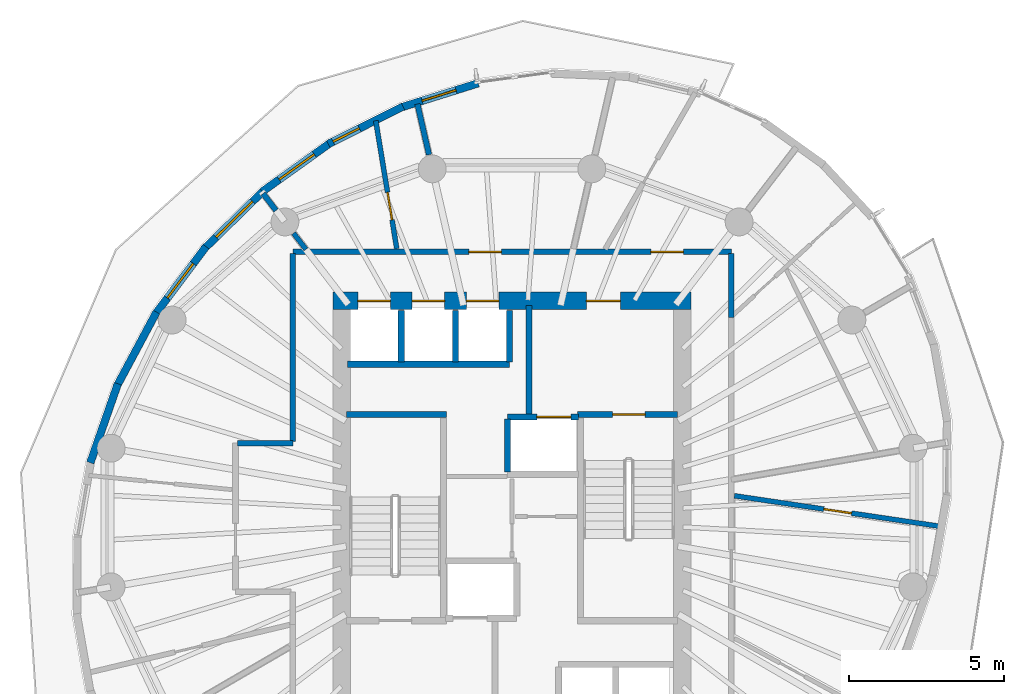
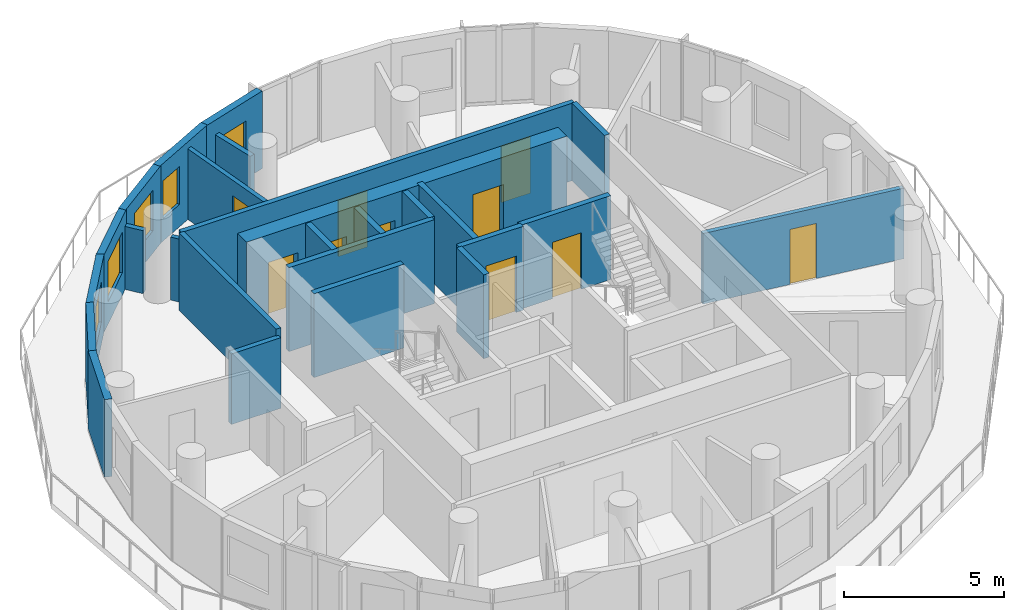
# One storey, part 6 of 10: 26 walls, 11 doors, 4 windows, 15 openings.
"""IFC4 building model written with IfcOpenShell, lengths in metres."""

from ifc_helpers import new_model, si_unit, direction, frame, frame_2d, origin, place, context, subcontext, project, spatial, rectangle, extrude, material, layer, layer_set, type_object, element, fill, save


model = new_model("IFC4")

# Units and contexts
model_context = context("Model", 3, precision=1e-05, world=origin(), true_north=direction((0.0, 1.0)))
body_context = subcontext(model_context, "Body", "Model", "MODEL_VIEW")
ifc_project = project(units=[si_unit("LENGTHUNIT", "METRE"), si_unit("AREAUNIT", "SQUARE_METRE"), si_unit("VOLUMEUNIT", "CUBIC_METRE"), si_unit("PLANEANGLEUNIT", "RADIAN"), si_unit("MASSUNIT", "GRAM", prefix="KILO")], contexts=[model_context])

# Site, building, storey
site_placement = place(None, origin())
site = spatial("IfcSite", under=ifc_project, at=site_placement, CompositionType="ELEMENT")
building_placement = place(site_placement, origin())
building = spatial("IfcBuilding", under=site, at=building_placement, Name="Veldorim Arch Residences", CompositionType="ELEMENT")
storey_placement = place(building_placement, frame((0.0, 0.0, 198.239990234375)))
storey = spatial("IfcBuildingStorey", under=building, at=storey_placement, Name="L59", CompositionType="ELEMENT", Elevation=198.239990234375)

# Walls
ifc_material_1 = material(Name="Lightweight Masonry Block & Gypsum", Category="masonry")
ifc_layer_1 = layer(ifc_material_1, 0.179931640625, Name="Compartment & Corridor Fire-Rated Party Wall 180")
ifc_layer_set_1 = layer_set([ifc_layer_1], Name="Lightweight Masonry Block & Gypsum")
wall_type_1 = type_object("IfcWallType", Name="Compartment & Corridor Fire-Rated Party Wall 180", PredefinedType="PARTITIONING", material=ifc_layer_set_1)
wall_1_placement = place(storey_placement, frame((29.320068359375, 35.717529296875, 0.0), z_axis=(0.0, 0.0, 1.0), x_axis=(-0.222978827263, 0.97482328788, 0.0)))
element("IfcWall", 1, at=wall_1_placement, inside=storey, type_object=wall_type_1, Name="L59 interior wall WL-PIER-L59-05", PredefinedType="PARTITIONING", context=body_context, shape_type="SweptSolid", body=[
    extrude(rectangle(XDim=1.678466796875, YDim=0.179931640625, at=frame_2d((0.83935546875, 0.0))), origin(), (0.0, 0.0, 1.0), 2.4033203125),
])
wall_2_placement = place(storey_placement, frame((24.380126953125, 33.91796875, 0.0), z_axis=(0.0, 0.0, 1.0), x_axis=(-0.60904199592, 0.793137974885, 0.0)))
element("IfcWall", 2, at=wall_2_placement, inside=storey, type_object=wall_type_1, Name="L59 interior wall WL-PIER-L59-06", PredefinedType="PARTITIONING", context=body_context, shape_type="SweptSolid", body=[
    extrude(rectangle(XDim=0.688232421875, YDim=0.179931640625, at=frame_2d((0.34423828125, 0.0))), origin(), (0.0, 0.0, 1.0), 2.4033203125),
])

# Wall, openings, doors
wall_3_placement = place(storey_placement, frame((24.919921875, 32.580078125, 0.0), z_axis=(0.0, 0.0, 1.0), x_axis=(1.0, 0.0, 0.0)))
wall_3 = element("IfcWall", 3, at=wall_3_placement, inside=storey, type_object=wall_type_1, Name="L59 interior wall WL-RES-L59-004", PredefinedType="PARTITIONING", context=body_context, shape_type="SweptSolid", body=[
    extrude(rectangle(XDim=14.16015625, YDim=0.179931640625, at=frame_2d((7.080078125, 0.0))), origin(), (0.0, 0.0, 1.0), 2.955078125),
])
opening_1_placement = place(wall_3_placement, frame((11.562744140625, 0.0, 0.0)))
opening_1 = element("IfcOpeningElement", 4, at=opening_1_placement, cuts=wall_3, Name="Opening DR-FLT", PredefinedType="OPENING", context=body_context, shape_type="SweptSolid", body=[
    extrude(rectangle(XDim=1.050048828125, YDim=2.14990234375, at=frame_2d((0.52490234375, 1.074951171875))), frame((0.0, 0.099853515625, 0.0), z_axis=(0.0, -1.0, 0.0), x_axis=(1.0, 0.0, 0.0)), (0.0, 0.0, 1.0), 0.199951171875),
])
opening_2_placement = place(wall_3_placement, frame((5.684326171875, 0.0, 0.0)))
opening_2 = element("IfcOpeningElement", 5, at=opening_2_placement, cuts=wall_3, Name="Opening DR-FLT", PredefinedType="OPENING", context=body_context, shape_type="SweptSolid", body=[
    extrude(rectangle(XDim=1.050048828125, YDim=2.14990234375, at=frame_2d((0.52490234375, 1.074951171875))), frame((0.0, 0.099853515625, 0.0), z_axis=(0.0, -1.0, 0.0), x_axis=(1.0, 0.0, 0.0)), (0.0, 0.0, 1.0), 0.199951171875),
])
ifc_material_2 = material(Name="Fire-Rated Timber", Category="wood")
door_type_1 = type_object("IfcDoorType", Name="Apartment Entrance Solid-Core Fire Door 1050x2150", OperationType="SINGLE_SWING_LEFT", PredefinedType="DOOR", material=ifc_material_2)
door_1_placement = place(opening_1_placement, origin())
door_1 = element("IfcDoor", 6, at=door_1_placement, inside=storey, type_object=door_type_1, Name="L59 interior door DR-RES-L59-007", OperationType="SINGLE_SWING_LEFT", OverallHeight=2.14990234375, OverallWidth=1.050048828125, PredefinedType="DOOR", context=body_context, shape_type="SweptSolid", body=[
    extrude(rectangle(XDim=1.050048828125, YDim=2.14990234375, at=frame_2d((0.52490234375, 1.074951171875))), frame((0.0, 0.02490234375, 0.0), z_axis=(0.0, -1.0, 0.0), x_axis=(1.0, 0.0, 0.0)), (0.0, 0.0, 1.0), 0.050048828125),
])
fill(opening_1, door_1)
door_2_placement = place(opening_2_placement, origin())
door_2 = element("IfcDoor", 7, at=door_2_placement, inside=storey, type_object=door_type_1, Name="L59 interior door DR-RES-L59-011", OperationType="SINGLE_SWING_LEFT", OverallHeight=2.14990234375, OverallWidth=1.050048828125, PredefinedType="DOOR", context=body_context, shape_type="SweptSolid", body=[
    extrude(rectangle(XDim=1.050048828125, YDim=2.14990234375, at=frame_2d((0.52490234375, 1.074951171875))), frame((0.0, 0.02490234375, 0.0), z_axis=(0.0, -1.0, 0.0), x_axis=(1.0, 0.0, 0.0)), (0.0, 0.0, 1.0), 0.050048828125),
])
fill(opening_2, door_2)

# Walls
wall_4_placement = place(storey_placement, frame((39.080078125, 32.52001953125, 0.0), z_axis=(0.0, 0.0, 1.0), x_axis=(0.0, -1.0, 0.0)))
element("IfcWall", 8, at=wall_4_placement, inside=storey, type_object=wall_type_1, Name="L59 interior wall WL-RES-L59-005", PredefinedType="PARTITIONING", context=body_context, shape_type="SweptSolid", body=[
    extrude(rectangle(XDim=2.058837890625, YDim=0.179931640625, at=frame_2d((1.029296875, 0.0))), origin(), (0.0, 0.0, 1.0), 2.955078125),
])
wall_5_placement = place(storey_placement, frame((23.1298828125, 26.39990234375, 0.0), z_axis=(0.0, 0.0, 1.0), x_axis=(1.0, 0.0, 0.0)))
element("IfcWall", 9, at=wall_5_placement, inside=storey, type_object=wall_type_1, Name="L59 interior wall WL-RES-L59-009", PredefinedType="PARTITIONING", context=body_context, shape_type="SweptSolid", body=[
    extrude(rectangle(XDim=1.7900390625, YDim=0.179931640625, at=frame_2d((0.89501953125, 0.0))), origin(), (0.0, 0.0, 1.0), 2.69189453125),
])
wall_6_placement = place(storey_placement, frame((24.919921875, 26.4599609375, 0.0), z_axis=(0.0, 0.0, 1.0), x_axis=(0.0, 1.0, 0.0)))
element("IfcWall", 10, at=wall_6_placement, inside=storey, type_object=wall_type_1, Name="L59 interior wall WL-RES-L59-010", PredefinedType="PARTITIONING", context=body_context, shape_type="SweptSolid", body=[
    extrude(rectangle(XDim=6.06005859375, YDim=0.179931640625, at=frame_2d((3.030029296875, 0.0))), origin(), (0.0, 0.0, 1.0), 2.955078125),
])
ifc_material_3 = material(Name="Concrete C50/60", Category="concrete")
ifc_layer_2 = layer(ifc_material_3, 0.199951171875, Name="Core Stair & Lift Shaft Enclosure Wall 200")
ifc_layer_set_2 = layer_set([ifc_layer_2], Name="Concrete C50/60")
wall_type_2 = type_object("IfcWallType", Name="Core Stair & Lift Shaft Enclosure Wall 200", PredefinedType="SHEAR", material=ifc_layer_set_2)
wall_7_placement = place(storey_placement, frame((26.64990234375, 27.330078125, 0.0), z_axis=(0.0, 0.0, 1.0), x_axis=(1.0, 0.0, 0.0)))
element("IfcWall", 11, at=wall_7_placement, inside=storey, type_object=wall_type_2, Name="L59 shaft wall WL-SHF-L59-ST1-N", PredefinedType="SHEAR", context=body_context, shape_type="SweptSolid", body=[
    extrude(rectangle(XDim=3.239990234375, YDim=0.199951171875, at=frame_2d((1.6201171875, 0.0))), origin(), (0.0, 0.0, 1.0), 3.199951171875),
])

# Wall, opening, door
wall_8_placement = place(storey_placement, frame((34.110107421875, 27.330078125, 0.0), z_axis=(0.0, 0.0, 1.0), x_axis=(1.0, 0.0, 0.0)))
wall_8 = element("IfcWall", 12, at=wall_8_placement, inside=storey, type_object=wall_type_2, Name="L59 shaft wall WL-SHF-L59-ST2-N", PredefinedType="SHEAR", context=body_context, shape_type="SweptSolid", body=[
    extrude(rectangle(XDim=3.239990234375, YDim=0.199951171875, at=frame_2d((1.6201171875, 0.0))), origin(), (0.0, 0.0, 1.0), 3.199951171875),
])
opening_3_placement = place(wall_8_placement, frame((1.135009765625, 0.0, 0.0)))
opening_3 = element("IfcOpeningElement", 13, at=opening_3_placement, cuts=wall_8, Name="Opening DR-ST", PredefinedType="OPENING", context=body_context, shape_type="SweptSolid", body=[
    extrude(rectangle(XDim=1.050048828125, YDim=2.14990234375, at=frame_2d((0.52490234375, 1.074951171875))), frame((0.0, 0.10986328125, 0.0), z_axis=(0.0, -1.0, 0.0), x_axis=(1.0, 0.0, 0.0)), (0.0, 0.0, 1.0), 0.219970703125),
])
ifc_material_4 = material(Name="Fire-Rated Steel", Category="steel")
door_type_2 = type_object("IfcDoorType", Name="Exit Staircase Self-Closing Fire Door 1050x2150", OperationType="SINGLE_SWING_LEFT", PredefinedType="DOOR", material=ifc_material_4)
door_3_placement = place(opening_3_placement, origin())
door_3 = element("IfcDoor", 14, at=door_3_placement, inside=storey, type_object=door_type_2, Name="L59 interior door DR-L59-ST2", OperationType="SINGLE_SWING_RIGHT", OverallHeight=2.14990234375, OverallWidth=1.050048828125, PredefinedType="DOOR", context=body_context, shape_type="SweptSolid", body=[
    extrude(rectangle(XDim=1.050048828125, YDim=2.14990234375, at=frame_2d((0.52490234375, 1.074951171875))), frame((0.0, 0.02490234375, 0.0), z_axis=(0.0, -1.0, 0.0), x_axis=(1.0, 0.0, 0.0)), (0.0, 0.0, 1.0), 0.050048828125),
])
fill(opening_3, door_3)

# Wall
wall_9_placement = place(storey_placement, frame((32.550048828125, 27.35009765625, 0.0), z_axis=(0.0, 0.0, 1.0), x_axis=(0.0, 1.0, 0.0)))
element("IfcWall", 15, at=wall_9_placement, inside=storey, type_object=wall_type_2, Name="L59 shaft wall WL-FFL2-L59-W", PredefinedType="SHEAR", context=body_context, shape_type="SweptSolid", body=[
    extrude(rectangle(XDim=3.5, YDim=0.199951171875, at=frame_2d((1.75, 0.0))), origin(), (0.0, 0.0, 1.0), 3.199951171875),
])

# Wall, opening, door
wall_10_placement = place(storey_placement, frame((31.85009765625, 27.25, 0.0), z_axis=(0.0, 0.0, 1.0), x_axis=(1.0, 0.0, 0.0)))
wall_10 = element("IfcWall", 16, at=wall_10_placement, inside=storey, type_object=wall_type_2, Name="L59 shaft wall WL-FL02-L59-N", PredefinedType="SHEAR", context=body_context, shape_type="SweptSolid", body=[
    extrude(rectangle(XDim=2.2998046875, YDim=0.199951171875, at=frame_2d((1.14990234375, 0.0))), origin(), (0.0, 0.0, 1.0), 3.199951171875),
])
opening_4_placement = place(wall_10_placement, frame((0.949951171875, 0.0, 0.0)))
opening_4 = element("IfcOpeningElement", 17, at=opening_4_placement, cuts=wall_10, Name="Opening LD-FF", PredefinedType="OPENING", context=body_context, shape_type="SweptSolid", body=[
    extrude(rectangle(XDim=1.10009765625, YDim=2.14990234375, at=frame_2d((0.550048828125, 1.074951171875))), frame((0.0, 0.10986328125, 0.0), z_axis=(0.0, -1.0, 0.0), x_axis=(1.0, 0.0, 0.0)), (0.0, 0.0, 1.0), 0.219970703125),
])
ifc_material_5 = material(Name="Stainless Steel", Category="steel")
door_type_3 = type_object("IfcDoorType", Name="Firefighting Lift Bi-Parting Sliding Landing Door 1100x2150", OperationType="DOUBLE_DOOR_SLIDING", PredefinedType="DOOR", material=ifc_material_5)
door_4_placement = place(opening_4_placement, origin())
door_4 = element("IfcDoor", 18, at=door_4_placement, inside=storey, type_object=door_type_3, Name="L59 lift landing door LD-L59-FL02", OperationType="DOUBLE_DOOR_SLIDING", OverallHeight=2.14990234375, OverallWidth=1.10009765625, PredefinedType="DOOR", context=body_context, shape_type="SweptSolid", body=[
    extrude(rectangle(XDim=1.10009765625, YDim=2.14990234375, at=frame_2d((0.550048828125, 1.074951171875))), frame((0.0, 0.02490234375, 0.0), z_axis=(0.0, -1.0, 0.0), x_axis=(1.0, 0.0, 0.0)), (0.0, 0.0, 1.0), 0.050048828125),
])
fill(opening_4, door_4)

# Walls
wall_11_placement = place(storey_placement, frame((31.85009765625, 25.469970703125, 0.0), z_axis=(0.0, 0.0, 1.0), x_axis=(0.0, 1.0, 0.0)))
element("IfcWall", 19, at=wall_11_placement, inside=storey, type_object=wall_type_2, Name="L59 shaft wall WL-FL02-L59-W", PredefinedType="SHEAR", context=body_context, shape_type="SweptSolid", body=[
    extrude(rectangle(XDim=1.7099609375, YDim=0.199951171875, at=frame_2d((0.85498046875, 0.0))), origin(), (0.0, 0.0, 1.0), 3.199951171875),
])
wall_12_placement = place(storey_placement, frame((26.679931640625, 28.949951171875, 0.0), z_axis=(0.0, 0.0, 1.0), x_axis=(1.0, 0.0, 0.0)))
element("IfcWall", 20, at=wall_12_placement, inside=storey, type_object=wall_type_2, Name="L59 shaft wall WL-B3-L59-S", PredefinedType="SHEAR", context=body_context, shape_type="SweptSolid", body=[
    extrude(rectangle(XDim=5.239990234375, YDim=0.199951171875, at=frame_2d((2.6201171875, 0.0))), origin(), (0.0, 0.0, 1.0), 3.199951171875),
])
for number, where, z_axis, x_axis, name in (
    (21, (31.919921875, 29.02001953125, 0.0), (0.0, 0.0, 1.0), (0.0, 1.0, 0.0), "L59 shaft wall WL-B3-L59-E"),
    (22, (28.425048828125, 29.02001953125, 0.0), (0.0, 0.0, 1.0), (0.0, 1.0, 0.0), "L59 shaft wall WL-B3-L59-D1"),
    (23, (30.175048828125, 29.02001953125, 0.0), (0.0, 0.0, 1.0), (0.0, 1.0, 0.0), "L59 shaft wall WL-B3-L59-D2"),
):
    element("IfcWall", number, at=place(storey_placement, frame(where, z_axis=z_axis, x_axis=x_axis)), inside=storey, type_object=wall_type_2, Name=name, PredefinedType="SHEAR", context=body_context, shape_type="SweptSolid", body=[
        extrude(rectangle(XDim=1.659912109375, YDim=0.199951171875, at=frame_2d((0.830078125, 0.0))), origin(), (0.0, 0.0, 1.0), 3.199951171875),
    ])

# Wall, opening, door
ifc_material_6 = material(Name="Precast concrete C40/50", Category="concrete")
ifc_layer_3 = layer(ifc_material_6, 0.25, Name="Tower Terracotta Spandrel & Pier Wall 250")
ifc_layer_set_3 = layer_set([ifc_layer_3], Name="Precast concrete C40/50")
wall_type_3 = type_object("IfcWallType", Name="Tower Terracotta Spandrel & Pier Wall 250", PredefinedType="SOLIDWALL", material=ifc_layer_set_3)
wall_13_placement = place(storey_placement, frame((28.379150390625, 37.234130859375, 0.0), z_axis=(0.0, 0.0, 1.0), x_axis=(0.954307768746, 0.298825505122, 0.0)))
wall_13 = element("IfcWall", 24, at=wall_13_placement, inside=storey, type_object=wall_type_3, Name="L59 terracotta facade wall 06", PredefinedType="SOLIDWALL", context=body_context, shape_type="SweptSolid", body=[
    extrude(rectangle(XDim=2.651123046875, YDim=0.25, at=frame_2d((1.32568359375, 0.0))), origin(), (0.0, 0.0, 1.0), 2.9599609375),
])
opening_5_placement = place(wall_13_placement, frame((0.7509765625, 0.0, 0.0)))
opening_5 = element("IfcOpeningElement", 25, at=opening_5_placement, cuts=wall_13, Name="Opening BL-DR", PredefinedType="OPENING", context=body_context, shape_type="SweptSolid", body=[
    extrude(rectangle(XDim=1.14990234375, YDim=2.199951171875, at=frame_2d((0.574951171875, 1.10009765625))), frame((0.0, 0.135009765625, 0.0), z_axis=(0.0, -1.0, 0.0), x_axis=(1.0, 0.0, 0.0)), (0.0, 0.0, 1.0), 0.27001953125),
])
ifc_material_7 = material(Name="Aluminium & Low-E Glass", Category="aluminium")
door_type_4 = type_object("IfcDoorType", Name="Glazed Planted Balcony Door 1150x2200", OperationType="SINGLE_SWING_LEFT", PredefinedType="DOOR", material=ifc_material_7)
door_5_placement = place(opening_5_placement, origin())
door_5 = element("IfcDoor", 26, at=door_5_placement, inside=storey, type_object=door_type_4, Name="L59 glazed outdoor terrace door BALC-1", OperationType="SINGLE_SWING_RIGHT", OverallHeight=2.199951171875, OverallWidth=1.14990234375, PredefinedType="DOOR", context=body_context, shape_type="SweptSolid", body=[
    extrude(rectangle(XDim=1.14990234375, YDim=2.199951171875, at=frame_2d((0.574951171875, 1.10009765625))), frame((0.0, 0.02490234375, 0.0), z_axis=(0.0, -1.0, 0.0), x_axis=(1.0, 0.0, 0.0)), (0.0, 0.0, 1.0), 0.050048828125),
])
fill(opening_5, door_5)

# Wall, opening, window
wall_14_placement = place(storey_placement, frame((26.06640625, 36.0634765625, 0.0), z_axis=(0.0, 0.0, 1.0), x_axis=(0.893757522153, 0.448550433724, 0.0)))
wall_14 = element("IfcWall", 27, at=wall_14_placement, inside=storey, type_object=wall_type_3, Name="L59 terracotta facade wall 07", PredefinedType="SOLIDWALL", context=body_context, shape_type="SweptSolid", body=[
    extrude(rectangle(XDim=2.701904296875, YDim=0.25, at=frame_2d((1.35107421875, 0.0))), origin(), (0.0, 0.0, 1.0), 2.9599609375),
])
opening_6_placement = place(wall_14_placement, frame((0.175048828125, 0.0, 0.85009765625)))
opening_6 = element("IfcOpeningElement", 28, at=opening_6_placement, cuts=wall_14, Name="Opening WN-05", PredefinedType="OPENING", context=body_context, shape_type="SweptSolid", body=[
    extrude(rectangle(XDim=0.949951171875, YDim=1.449951171875, at=frame_2d((0.47509765625, 0.72509765625))), frame((0.0, 0.135009765625, 0.0), z_axis=(0.0, -1.0, 0.0), x_axis=(1.0, 0.0, 0.0)), (0.0, 0.0, 1.0), 0.27001953125),
])
ifc_material_8 = material(Name="Laminated Low-E Glass", Category="glass")
window_type_1 = type_object("IfcWindowType", Name="Residential Compact Casement Window 950x1450", PartitioningType="SINGLE_PANEL", PredefinedType="WINDOW", material=ifc_material_8)
window_1_placement = place(opening_6_placement, origin())
window_1 = element("IfcWindow", 29, at=window_1_placement, inside=storey, type_object=window_type_1, Name="L59 solar-control facade window 07", OverallHeight=1.449951171875, OverallWidth=0.949951171875, PartitioningType="SINGLE_PANEL", PredefinedType="WINDOW", context=body_context, shape_type="SweptSolid", body=[
    extrude(rectangle(XDim=0.949951171875, YDim=1.449951171875, at=frame_2d((0.47509765625, 0.72509765625))), frame((0.0, 0.030029296875, 0.0), z_axis=(0.0, -1.0, 0.0), x_axis=(1.0, 0.0, 0.0)), (0.0, 0.0, 1.0), 0.06005859375),
])
fill(opening_6, window_1)

wall_15_placement = place(storey_placement, frame((23.93359375, 34.525634765625, 0.0), z_axis=(0.0, 0.0, 1.0), x_axis=(0.812997900305, 0.58226661771, 0.0)))
wall_15 = element("IfcWall", 30, at=wall_15_placement, inside=storey, type_object=wall_type_3, Name="L59 terracotta facade wall 08", PredefinedType="SOLIDWALL", context=body_context, shape_type="SweptSolid", body=[
    extrude(rectangle(XDim=2.738525390625, YDim=0.25, at=frame_2d((1.369140625, 0.0))), origin(), (0.0, 0.0, 1.0), 2.9599609375),
])
opening_7_placement = place(wall_15_placement, frame((0.6689453125, 0.0, 0.85009765625)))
opening_7 = element("IfcOpeningElement", 31, at=opening_7_placement, cuts=wall_15, Name="Opening WN-02", PredefinedType="OPENING", context=body_context, shape_type="SweptSolid", body=[
    extrude(rectangle(XDim=1.39990234375, YDim=1.550048828125, at=frame_2d((0.699951171875, 0.77490234375))), frame((0.0, 0.135009765625, 0.0), z_axis=(0.0, -1.0, 0.0), x_axis=(1.0, 0.0, 0.0)), (0.0, 0.0, 1.0), 0.27001953125),
])
ifc_material_9 = material(Name="Laminated Low-E Glass", Category="glass")
window_type_2 = type_object("IfcWindowType", Name="Residential Casement Window 1400x1550", PartitioningType="SINGLE_PANEL", PredefinedType="WINDOW", material=ifc_material_9)
window_2_placement = place(opening_7_placement, origin())
window_2 = element("IfcWindow", 32, at=window_2_placement, inside=storey, type_object=window_type_2, Name="L59 solar-control facade window 08", OverallHeight=1.550048828125, OverallWidth=1.39990234375, PartitioningType="SINGLE_PANEL", PredefinedType="WINDOW", context=body_context, shape_type="SweptSolid", body=[
    extrude(rectangle(XDim=1.39990234375, YDim=1.550048828125, at=frame_2d((0.699951171875, 0.77490234375))), frame((0.0, 0.030029296875, 0.0), z_axis=(0.0, -1.0, 0.0), x_axis=(1.0, 0.0, 0.0)), (0.0, 0.0, 1.0), 0.06005859375),
])
fill(opening_7, window_2)

wall_16_placement = place(storey_placement, frame((22.04541015625, 32.6669921875, 0.0), z_axis=(0.0, 0.0, 1.0), x_axis=(0.71485422762, 0.699273503898, 0.0)))
wall_16 = element("IfcWall", 33, at=wall_16_placement, inside=storey, type_object=wall_type_3, Name="L59 terracotta facade wall 09", PredefinedType="SOLIDWALL", context=body_context, shape_type="SweptSolid", body=[
    extrude(rectangle(XDim=2.7578125, YDim=0.25, at=frame_2d((1.37890625, 0.0))), origin(), (0.0, 0.0, 1.0), 2.9599609375),
])
opening_8_placement = place(wall_16_placement, frame((0.553955078125, 0.0, 0.85009765625)))
opening_8 = element("IfcOpeningElement", 34, at=opening_8_placement, cuts=wall_16, Name="Opening WN-03", PredefinedType="OPENING", context=body_context, shape_type="SweptSolid", body=[
    extrude(rectangle(XDim=1.64990234375, YDim=1.550048828125, at=frame_2d((0.824951171875, 0.77490234375))), frame((0.0, 0.135009765625, 0.0), z_axis=(0.0, -1.0, 0.0), x_axis=(1.0, 0.0, 0.0)), (0.0, 0.0, 1.0), 0.27001953125),
])
ifc_material_10 = material(Name="Laminated Low-E Glass", Category="glass")
window_type_3 = type_object("IfcWindowType", Name="Residential Wide Window 1650x1550", PartitioningType="SINGLE_PANEL", PredefinedType="WINDOW", material=ifc_material_10)
window_3_placement = place(opening_8_placement, origin())
window_3 = element("IfcWindow", 35, at=window_3_placement, inside=storey, type_object=window_type_3, Name="L59 solar-control facade window 09", OverallHeight=1.550048828125, OverallWidth=1.64990234375, PartitioningType="SINGLE_PANEL", PredefinedType="WINDOW", context=body_context, shape_type="SweptSolid", body=[
    extrude(rectangle(XDim=1.64990234375, YDim=1.550048828125, at=frame_2d((0.824951171875, 0.77490234375))), frame((0.0, 0.030029296875, 0.0), z_axis=(0.0, -1.0, 0.0), x_axis=(1.0, 0.0, 0.0)), (0.0, 0.0, 1.0), 0.06005859375),
])
fill(opening_8, window_3)

wall_17_placement = place(storey_placement, frame((20.4599609375, 30.5439453125, 0.0), z_axis=(0.0, 0.0, 1.0), x_axis=(0.600877762795, 0.799340924874, 0.0)))
wall_17 = element("IfcWall", 36, at=wall_17_placement, inside=storey, type_object=wall_type_3, Name="L59 terracotta facade wall 10", PredefinedType="SOLIDWALL", context=body_context, shape_type="SweptSolid", body=[
    extrude(rectangle(XDim=2.758056640625, YDim=0.25, at=frame_2d((1.37890625, 0.0))), origin(), (0.0, 0.0, 1.0), 2.9599609375),
])
opening_9_placement = place(wall_17_placement, frame((0.678955078125, 0.0, 0.85009765625)))
opening_9 = element("IfcOpeningElement", 37, at=opening_9_placement, cuts=wall_17, Name="Opening WN-02", PredefinedType="OPENING", context=body_context, shape_type="SweptSolid", body=[
    extrude(rectangle(XDim=1.39990234375, YDim=1.550048828125, at=frame_2d((0.699951171875, 0.77490234375))), frame((0.0, 0.135009765625, 0.0), z_axis=(0.0, -1.0, 0.0), x_axis=(1.0, 0.0, 0.0)), (0.0, 0.0, 1.0), 0.27001953125),
])
window_4_placement = place(opening_9_placement, origin())
window_4 = element("IfcWindow", 38, at=window_4_placement, inside=storey, type_object=window_type_2, Name="L59 solar-control facade window 10", OverallHeight=1.550048828125, OverallWidth=1.39990234375, PartitioningType="SINGLE_PANEL", PredefinedType="WINDOW", context=body_context, shape_type="SweptSolid", body=[
    extrude(rectangle(XDim=1.39990234375, YDim=1.550048828125, at=frame_2d((0.699951171875, 0.77490234375))), frame((0.0, 0.030029296875, 0.0), z_axis=(0.0, -1.0, 0.0), x_axis=(1.0, 0.0, 0.0)), (0.0, 0.0, 1.0), 0.06005859375),
])
fill(opening_9, window_4)

# Walls
wall_18_placement = place(storey_placement, frame((19.225830078125, 28.221435546875, 0.0), z_axis=(0.0, 0.0, 1.0), x_axis=(0.472035862223, 0.88157934684, 0.0)))
element("IfcWall", 39, at=wall_18_placement, inside=storey, type_object=wall_type_3, Name="L59 terracotta facade wall 11", PredefinedType="SOLIDWALL", context=body_context, shape_type="SweptSolid", body=[
    extrude(rectangle(XDim=2.738525390625, YDim=0.25, at=frame_2d((1.369140625, 0.0))), origin(), (0.0, 0.0, 1.0), 2.9599609375),
])
wall_19_placement = place(storey_placement, frame((18.380859375, 25.770263671875, 0.0), z_axis=(0.0, 0.0, 1.0), x_axis=(0.329021781096, 0.94432233245, 0.0)))
element("IfcWall", 40, at=wall_19_placement, inside=storey, type_object=wall_type_3, Name="L59 terracotta facade wall 12", PredefinedType="SOLIDWALL", context=body_context, shape_type="SweptSolid", body=[
    extrude(rectangle(XDim=2.70166015625, YDim=0.25, at=frame_2d((1.350830078125, 0.0))), origin(), (0.0, 0.0, 1.0), 2.9599609375),
])

# Wall, openings, doors
ifc_material_11 = material(Name="Concrete C50/60", Category="concrete")
ifc_layer_4 = layer(ifc_material_11, 0.5, Name="Upper Central Core Shear Wall 560")
ifc_layer_set_4 = layer_set([ifc_layer_4], Name="Concrete C50/60")
wall_type_4 = type_object("IfcWallType", Name="Upper Central Core Shear Wall 560", PredefinedType="SHEAR", material=ifc_layer_set_4)
wall_20_placement = place(storey_placement, frame((26.219970703125, 31.0, 0.0), z_axis=(0.0, 0.0, 1.0), x_axis=(1.0, 0.0, 0.0)))
wall_20 = element("IfcWall", 41, at=wall_20_placement, inside=storey, type_object=wall_type_4, Name="L59 central core north shear wall", PredefinedType="SHEAR", context=body_context, shape_type="SweptSolid", body=[
    extrude(rectangle(XDim=11.56005859375, YDim=0.56005859375, at=frame_2d((5.780029296875, 0.0))), origin(), (0.0, 0.0, 1.0), 3.199951171875),
])
opening_10_placement = place(wall_20_placement, frame((8.179931640625, 0.0, 0.0)))
opening_10 = element("IfcOpeningElement", 42, at=opening_10_placement, cuts=wall_20, Name="Opening DR-FFL", PredefinedType="OPENING", context=body_context, shape_type="SweptSolid", body=[
    extrude(rectangle(XDim=1.10009765625, YDim=2.14990234375, at=frame_2d((0.550048828125, 1.074951171875))), frame((0.0, 0.2900390625, 0.0), z_axis=(0.0, -1.0, 0.0), x_axis=(1.0, 0.0, 0.0)), (0.0, 0.0, 1.0), 0.580078125),
])
opening_11_placement = place(wall_20_placement, frame((0.804931640625, 0.0, 0.0)))
opening_11 = element("IfcOpeningElement", 43, at=opening_11_placement, cuts=wall_20, Name="Opening LD-PS", PredefinedType="OPENING", context=body_context, shape_type="SweptSolid", body=[
    extrude(rectangle(XDim=1.050048828125, YDim=2.14990234375, at=frame_2d((0.52490234375, 1.074951171875))), frame((0.0, 0.2900390625, 0.0), z_axis=(0.0, -1.0, 0.0), x_axis=(1.0, 0.0, 0.0)), (0.0, 0.0, 1.0), 0.580078125),
])
opening_12_placement = place(wall_20_placement, frame((2.554931640625, 0.0, 0.0)))
opening_12 = element("IfcOpeningElement", 44, at=opening_12_placement, cuts=wall_20, Name="Opening LD-PS", PredefinedType="OPENING", context=body_context, shape_type="SweptSolid", body=[
    extrude(rectangle(XDim=1.050048828125, YDim=2.14990234375, at=frame_2d((0.52490234375, 1.074951171875))), frame((0.0, 0.2900390625, 0.0), z_axis=(0.0, -1.0, 0.0), x_axis=(1.0, 0.0, 0.0)), (0.0, 0.0, 1.0), 0.580078125),
])
opening_13_placement = place(wall_20_placement, frame((4.304931640625, 0.0, 0.0)))
opening_13 = element("IfcOpeningElement", 45, at=opening_13_placement, cuts=wall_20, Name="Opening LD-PS", PredefinedType="OPENING", context=body_context, shape_type="SweptSolid", body=[
    extrude(rectangle(XDim=1.050048828125, YDim=2.14990234375, at=frame_2d((0.52490234375, 1.074951171875))), frame((0.0, 0.2900390625, 0.0), z_axis=(0.0, -1.0, 0.0), x_axis=(1.0, 0.0, 0.0)), (0.0, 0.0, 1.0), 0.580078125),
])
ifc_material_12 = material(Name="Fire-Rated Steel & Vision Glass", Category="steel")
door_type_5 = type_object("IfcDoorType", Name="Firefighting Lobby Smoke-Stop Fire Door 1100x2150", OperationType="SINGLE_SWING_LEFT", PredefinedType="DOOR", material=ifc_material_12)
door_6_placement = place(opening_10_placement, origin())
door_6 = element("IfcDoor", 46, at=door_6_placement, inside=storey, type_object=door_type_5, Name="L59 interior door DR-L59-FFL2", OperationType="SINGLE_SWING_LEFT", OverallHeight=2.14990234375, OverallWidth=1.10009765625, PredefinedType="DOOR", context=body_context, shape_type="SweptSolid", body=[
    extrude(rectangle(XDim=1.10009765625, YDim=2.14990234375, at=frame_2d((0.550048828125, 1.074951171875))), frame((0.0, 0.02490234375, 0.0), z_axis=(0.0, -1.0, 0.0), x_axis=(1.0, 0.0, 0.0)), (0.0, 0.0, 1.0), 0.050048828125),
])
fill(opening_10, door_6)
ifc_material_13 = material(Name="Stainless Steel", Category="steel")
door_type_6 = type_object("IfcDoorType", Name="Passenger Lift Bi-Parting Sliding Landing Door 1050x2150", OperationType="DOUBLE_DOOR_SLIDING", PredefinedType="DOOR", material=ifc_material_13)
door_7_placement = place(opening_11_placement, origin())
door_7 = element("IfcDoor", 47, at=door_7_placement, inside=storey, type_object=door_type_6, Name="L59 lift landing door LD-L59-PL-08", OperationType="DOUBLE_DOOR_SLIDING", OverallHeight=2.14990234375, OverallWidth=1.050048828125, PredefinedType="DOOR", context=body_context, shape_type="SweptSolid", body=[
    extrude(rectangle(XDim=1.050048828125, YDim=2.14990234375, at=frame_2d((0.52490234375, 1.074951171875))), frame((0.0, 0.02490234375, 0.0), z_axis=(0.0, -1.0, 0.0), x_axis=(1.0, 0.0, 0.0)), (0.0, 0.0, 1.0), 0.050048828125),
])
fill(opening_11, door_7)
door_8_placement = place(opening_12_placement, origin())
door_8 = element("IfcDoor", 48, at=door_8_placement, inside=storey, type_object=door_type_6, Name="L59 lift landing door LD-L59-PL-09", OperationType="DOUBLE_DOOR_SLIDING", OverallHeight=2.14990234375, OverallWidth=1.050048828125, PredefinedType="DOOR", context=body_context, shape_type="SweptSolid", body=[
    extrude(rectangle(XDim=1.050048828125, YDim=2.14990234375, at=frame_2d((0.52490234375, 1.074951171875))), frame((0.0, 0.02490234375, 0.0), z_axis=(0.0, -1.0, 0.0), x_axis=(1.0, 0.0, 0.0)), (0.0, 0.0, 1.0), 0.050048828125),
])
fill(opening_12, door_8)
door_9_placement = place(opening_13_placement, origin())
door_9 = element("IfcDoor", 49, at=door_9_placement, inside=storey, type_object=door_type_6, Name="L59 lift landing door LD-L59-PL-10", OperationType="DOUBLE_DOOR_SLIDING", OverallHeight=2.14990234375, OverallWidth=1.050048828125, PredefinedType="DOOR", context=body_context, shape_type="SweptSolid", body=[
    extrude(rectangle(XDim=1.050048828125, YDim=2.14990234375, at=frame_2d((0.52490234375, 1.074951171875))), frame((0.0, 0.02490234375, 0.0), z_axis=(0.0, -1.0, 0.0), x_axis=(1.0, 0.0, 0.0)), (0.0, 0.0, 1.0), 0.050048828125),
])
fill(opening_13, door_9)

# Wall, opening, door
ifc_material_14 = material(Name="Moisture-Resistant Gypsum & Stud", Category="gypsum")
ifc_layer_5 = layer(ifc_material_14, 0.159912109375, Name="Wet-Area Moisture-Resistant Plumbing Wall 160")
ifc_layer_set_5 = layer_set([ifc_layer_5], Name="Moisture-Resistant Gypsum & Stud")
wall_type_5 = type_object("IfcWallType", Name="Wet-Area Moisture-Resistant Plumbing Wall 160", PredefinedType="PLUMBINGWALL", material=ifc_layer_set_5)
wall_21_placement = place(storey_placement, frame((39.178955078125, 24.702880859375, 0.0), z_axis=(0.0, 0.0, 1.0), x_axis=(0.989134988757, -0.147010115356, 0.0)))
wall_21 = element("IfcWall", 50, at=wall_21_placement, inside=storey, type_object=wall_type_5, Name="L59 interior wall WL-RES-L59-015", PredefinedType="PLUMBINGWALL", context=body_context, shape_type="SweptSolid", body=[
    extrude(rectangle(XDim=6.7490234375, YDim=0.159912109375, at=frame_2d((3.37451171875, 0.0))), origin(), (0.0, 0.0, 1.0), 2.69189453125),
])
opening_14_placement = place(wall_21_placement, frame((2.924560546875, 0.0, 0.0)))
opening_14 = element("IfcOpeningElement", 51, at=opening_14_placement, cuts=wall_21, Name="Opening DR-WC", PredefinedType="OPENING", context=body_context, shape_type="SweptSolid", body=[
    extrude(rectangle(XDim=0.89990234375, YDim=2.10009765625, at=frame_2d((0.449951171875, 1.050048828125))), frame((0.0, 0.08984375, 0.0), z_axis=(0.0, -1.0, 0.0), x_axis=(1.0, 0.0, 0.0)), (0.0, 0.0, 1.0), 0.179931640625),
])
ifc_material_15 = material(Name="Laminate Timber", Category="wood")
door_type_7 = type_object("IfcDoorType", Name="Bathroom & Accessible WC Moisture-Sealed Door 900x2100", OperationType="SINGLE_SWING_LEFT", PredefinedType="DOOR", material=ifc_material_15)
door_10_placement = place(opening_14_placement, origin())
door_10 = element("IfcDoor", 52, at=door_10_placement, inside=storey, type_object=door_type_7, Name="L59 interior door DR-RES-L59-005", OperationType="SINGLE_SWING_LEFT", OverallHeight=2.10009765625, OverallWidth=0.89990234375, PredefinedType="DOOR", context=body_context, shape_type="SweptSolid", body=[
    extrude(rectangle(XDim=0.89990234375, YDim=2.10009765625, at=frame_2d((0.449951171875, 1.050048828125))), frame((0.0, 0.02490234375, 0.0), z_axis=(0.0, -1.0, 0.0), x_axis=(1.0, 0.0, 0.0)), (0.0, 0.0, 1.0), 0.050048828125),
])
fill(opening_14, door_10)

wall_22_placement = place(storey_placement, frame((28.27978515625, 32.6787109375, 0.0), z_axis=(0.0, 0.0, 1.0), x_axis=(-0.162160778545, 0.986764349732, 0.0)))
wall_22 = element("IfcWall", 53, at=wall_22_placement, inside=storey, type_object=wall_type_5, Name="L59 interior wall WL-RES-L59-022", PredefinedType="PLUMBINGWALL", context=body_context, shape_type="SweptSolid", body=[
    extrude(rectangle(XDim=4.19287109375, YDim=0.159912109375, at=frame_2d((2.096435546875, 0.0))), origin(), (0.0, 0.0, 1.0), 2.69189453125),
])
opening_15_placement = place(wall_22_placement, frame((0.946533203125, 0.0, 0.0)))
opening_15 = element("IfcOpeningElement", 54, at=opening_15_placement, cuts=wall_22, Name="Opening DR-WC", PredefinedType="OPENING", context=body_context, shape_type="SweptSolid", body=[
    extrude(rectangle(XDim=0.89990234375, YDim=2.10009765625, at=frame_2d((0.449951171875, 1.050048828125))), frame((0.0, 0.08984375, 0.0), z_axis=(0.0, -1.0, 0.0), x_axis=(1.0, 0.0, 0.0)), (0.0, 0.0, 1.0), 0.179931640625),
])
door_11_placement = place(opening_15_placement, origin())
door_11 = element("IfcDoor", 55, at=door_11_placement, inside=storey, type_object=door_type_7, Name="L59 interior door DR-RES-L59-012", OperationType="SINGLE_SWING_RIGHT", OverallHeight=2.10009765625, OverallWidth=0.89990234375, PredefinedType="DOOR", context=body_context, shape_type="SweptSolid", body=[
    extrude(rectangle(XDim=0.89990234375, YDim=2.10009765625, at=frame_2d((0.449951171875, 1.050048828125))), frame((0.0, 0.02490234375, 0.0), z_axis=(0.0, -1.0, 0.0), x_axis=(1.0, 0.0, 0.0)), (0.0, 0.0, 1.0), 0.050048828125),
])
fill(opening_15, door_11)

# Wall
wall_23_placement = place(storey_placement, frame((25.34716796875, 32.6591796875, 0.0), z_axis=(0.0, 0.0, 1.0), x_axis=(-0.609101063055, 0.79309261438, 0.0)))
element("IfcWall", 56, at=wall_23_placement, inside=storey, type_object=wall_type_5, Name="L59 interior wall WL-RES-L59-023", PredefinedType="PLUMBINGWALL", context=body_context, shape_type="SweptSolid", body=[
    extrude(rectangle(XDim=0.658203125, YDim=0.159912109375, at=frame_2d((0.3291015625, 0.0))), origin(), (0.0, 0.0, 1.0), 2.4033203125),
])

save(model, "model.ifc")
